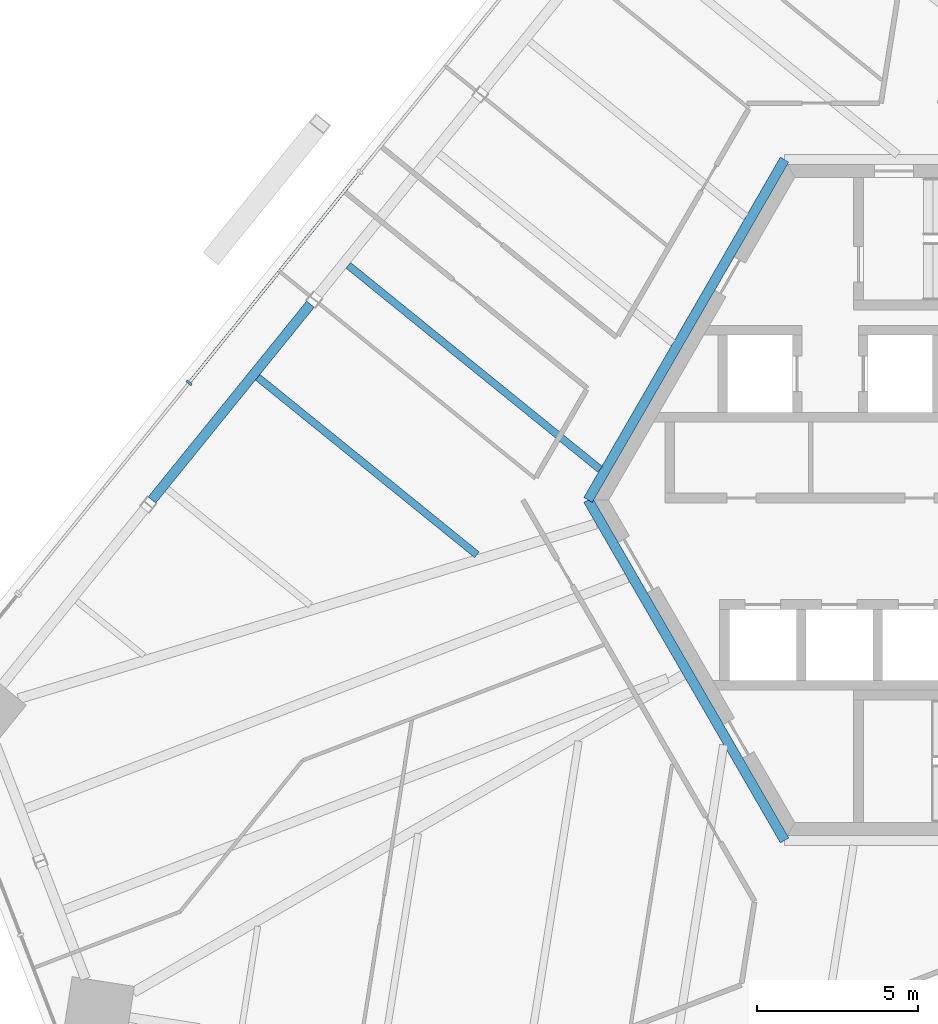
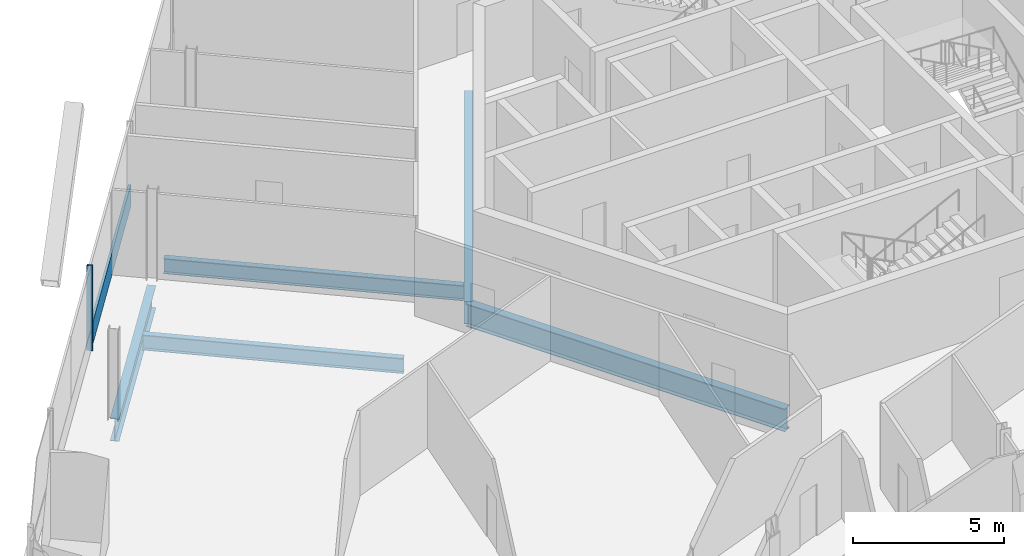
# One storey, part 5 of 19: 5 beams, 2 members, 1 element without a shape of its own.
"""IFC4 building model written with IfcOpenShell, lengths in metres."""

from ifc_helpers import new_model, si_unit, direction, frame, origin, origin_2d, place, context, subcontext, project, spatial, rectangle, i_section, extrude, source, transform, mapped, material, material_profile, profile_set, type_object, element, aggregate, save


model = new_model("IFC4")

# Units and contexts
model_context = context("Model", 3, precision=1e-05, world=origin(), true_north=direction((0.0, 1.0)))
body_context = subcontext(model_context, "Body", "Model", "MODEL_VIEW")
ifc_project = project(units=[si_unit("LENGTHUNIT", "METRE"), si_unit("AREAUNIT", "SQUARE_METRE"), si_unit("VOLUMEUNIT", "CUBIC_METRE"), si_unit("PLANEANGLEUNIT", "RADIAN"), si_unit("MASSUNIT", "GRAM", prefix="KILO")], contexts=[model_context])

# Site, building, storey
site_placement = place(None, origin())
site = spatial("IfcSite", under=ifc_project, at=site_placement, CompositionType="ELEMENT")
building_placement = place(site_placement, origin())
building = spatial("IfcBuilding", under=site, at=building_placement, Name="Triune Harvest Tower", CompositionType="ELEMENT")
storey_placement = place(building_placement, frame((0.0, 0.0, 149.699951171875)))
storey = spatial("IfcBuildingStorey", under=building, at=storey_placement, Name="L38", CompositionType="ELEMENT", Elevation=149.699951171875)

# Beams
ifc_material_1 = material(Name="Steel ASTM A992 Gr 50", Category="steel")
ifc_material_profile_1 = material_profile(ifc_material_1, i_section(OverallWidth=0.3046875, OverallDepth=0.914306640625, WebThickness=0.0166015625, FlangeThickness=0.02587890625, at=origin_2d()), Name="W36x160")
ifc_profile_set_1 = profile_set([ifc_material_profile_1], Name="Steel ASTM A992 Gr 50")
beam_type_1 = type_object("IfcBeamType", Name="CG-1 Core ring girder W36x160", PredefinedType="BEAM", material=ifc_profile_set_1)
shared_shape_1 = source(origin(), body_context, "Body", "SweptSolid", [
    extrude(i_section(OverallWidth=0.3046875, OverallDepth=0.914306640625, WebThickness=0.0166015625, FlangeThickness=0.02587890625, at=origin_2d()), origin(), (0.0, 0.0, 1.0), 12.176025390625),
])
for number, where, z_axis, x_axis, name in (
    (1, (-6.087890625, 10.544677734375, -0.6171875), (-0.5000099932, -0.866019634131, 0.0), (0.866019634131, -0.5000099932, 0.0), "beam/L38/CG3"),
    (2, (-12.176025390625, 0.0, -0.6171875), (0.5000099932, -0.866019634131, 0.0), (0.866019634131, 0.5000099932, 0.0), "beam/L38/CG4"),
):
    element("IfcBeam", number, at=place(storey_placement, frame(where, z_axis=z_axis, x_axis=x_axis)), inside=storey, type_object=beam_type_1, Name=name, PredefinedType="BEAM", context=body_context, shape_type="MappedRepresentation", body=[
        mapped(shared_shape_1, transform((0.0, 0.0, 0.0), scale=1.0)),
    ])
ifc_material_2 = material(Name="Steel ASTM A992 Gr 50", Category="steel")
ifc_material_profile_2 = material_profile(ifc_material_2, i_section(OverallWidth=0.3046875, OverallDepth=0.914306640625, WebThickness=0.0166015625, FlangeThickness=0.02587890625, at=origin_2d()), Name="W36x160")
ifc_profile_set_2 = profile_set([ifc_material_profile_2], Name="Steel ASTM A992 Gr 50")
beam_type_2 = type_object("IfcBeamType", Name="SB-1 Spandrel beam W36x160", PredefinedType="SPANDREL", material=ifc_profile_set_2)
shared_shape_2 = source(origin(), body_context, "Body", "SweptSolid", [
    extrude(i_section(OverallWidth=0.3046875, OverallDepth=0.914306640625, WebThickness=0.0166015625, FlangeThickness=0.02587890625, at=origin_2d()), origin(), (0.0, 0.0, 1.0), 7.8017578125),
])
beam_1_placement = place(storey_placement, frame((-20.775390625, 6.064208984375, -0.6171875), z_axis=(-0.629335951387, -0.777133360686, 0.0), x_axis=(0.777133360686, -0.629335951387, 0.0)))
element("IfcBeam", 3, at=beam_1_placement, inside=storey, type_object=beam_type_2, Name="beam/L38/SB13", PredefinedType="SPANDREL", context=body_context, shape_type="MappedRepresentation", body=[
    mapped(shared_shape_2, transform((0.0, 0.0, 0.0), scale=1.0)),
])
ifc_material_3 = material(Name="Steel ASTM A992 Gr 50", Category="steel")
ifc_material_profile_3 = material_profile(ifc_material_3, i_section(OverallWidth=0.22900390625, OverallDepth=0.612060546875, WebThickness=0.011962890625, FlangeThickness=0.01953125, at=origin_2d()), Name="W24x84")
ifc_profile_set_3 = profile_set([ifc_material_profile_3], Name="Steel ASTM A992 Gr 50")
beam_type_3 = type_object("IfcBeamType", Name="JT-3 Floor joist W24x84", PredefinedType="JOIST", material=ifc_profile_set_3)
shared_shape_3 = source(origin(), body_context, "Body", "SweptSolid", [
    extrude(i_section(OverallWidth=0.22900390625, OverallDepth=0.612060546875, WebThickness=0.011962890625, FlangeThickness=0.01953125, at=origin_2d()), origin(), (0.0, 0.0, 1.0), 8.738037109375),
])
beam_2_placement = place(storey_placement, frame((-22.410400390625, 3.802978515625, -0.466064453125), z_axis=(0.777147913906, -0.629317979968, 0.0), x_axis=(0.629317979968, 0.777147913906, 0.0)))
element("IfcBeam", 4, at=beam_2_placement, inside=storey, type_object=beam_type_3, Name="beam/L38/JT20", PredefinedType="JOIST", context=body_context, shape_type="MappedRepresentation", body=[
    mapped(shared_shape_3, transform((0.0, 0.0, 0.0), scale=1.0)),
])
shared_shape_4 = source(origin(), body_context, "Body", "SweptSolid", [
    extrude(i_section(OverallWidth=0.22900390625, OverallDepth=0.612060546875, WebThickness=0.011962890625, FlangeThickness=0.01953125, at=origin_2d()), origin(), (0.0, 0.0, 1.0), 10.0380859375),
])
beam_3_placement = place(storey_placement, frame((-19.60400390625, 7.268310546875, -0.466064453125), z_axis=(0.777146308943, -0.629319961941, 0.0), x_axis=(0.629319961941, 0.777146308943, 0.0)))
element("IfcBeam", 5, at=beam_3_placement, inside=storey, type_object=beam_type_3, Name="beam/L38/JT19", PredefinedType="JOIST", context=body_context, shape_type="MappedRepresentation", body=[
    mapped(shared_shape_4, transform((0.0, 0.0, 0.0), scale=1.0)),
])

# Curtain wall, members
ifc_material_4 = material(Name="Aluminium bronze anodised", Category="aluminium")
curtain_wall_type = type_object("IfcCurtainWallType", Name="CW-7 Tower stick curtain wall with insulated spandrel infill", PredefinedType="NOTDEFINED", material=ifc_material_4)
curtain_wall_placement = place(storey_placement, origin())
curtain_wall = element("IfcCurtainWall", 6, at=curtain_wall_placement, inside=storey, type_object=curtain_wall_type, Name="CW-7 B4-F3 L38 run 1001")
ifc_material_5 = material(Name="Aluminium bronze anodised", Category="aluminium")
ifc_material_profile_4 = material_profile(ifc_material_5, rectangle(XDim=0.199951171875, YDim=0.074951171875, at=origin_2d()), Name="MU-1 mullion 75 x 200")
ifc_profile_set_4 = profile_set([ifc_material_profile_4], Name="Aluminium bronze anodised")
member_type_1 = type_object("IfcMemberType", Name="MU-1 mullion 75 x 200", PredefinedType="MULLION", material=ifc_profile_set_4)
shared_shape_5 = source(origin(), body_context, "Body", "SweptSolid", [
    extrude(rectangle(XDim=0.199951171875, YDim=0.074951171875, at=origin_2d()), origin(), (0.0, 0.0, 1.0), 3.43994140625),
])
member_1_placement = place(storey_placement, frame((-24.53369140625, 3.630126953125, 0.0), z_axis=(0.0, 0.0, 1.0), x_axis=(0.77714431638, -0.629322422546, 0.0)))
member_1 = element("IfcMember", 7, at=member_1_placement, type_object=member_type_1, Name="CW-7 mullion B4-F3 1001.9", PredefinedType="MULLION", context=body_context, shape_type="MappedRepresentation", body=[
    mapped(shared_shape_5, transform((0.0, 0.0, 0.0), scale=1.0)),
])
ifc_material_6 = material(Name="Aluminium bronze anodised", Category="aluminium")
ifc_material_profile_5 = material_profile(ifc_material_6, rectangle(XDim=0.090087890625, YDim=0.89990234375, at=origin_2d()), Name="TR-1 transom 90 x 900")
ifc_profile_set_5 = profile_set([ifc_material_profile_5], Name="Aluminium bronze anodised")
member_type_2 = type_object("IfcMemberType", Name="TR-1 transom 90 x 900", PredefinedType="USERDEFINED", material=ifc_profile_set_5)
shared_shape_6 = source(origin(), body_context, "Body", "SweptSolid", [
    extrude(rectangle(XDim=0.090087890625, YDim=0.89990234375, at=origin_2d()), origin(), (0.0, 0.0, 1.0), 8.337158203125),
])
member_2_placement = place(storey_placement, frame((-19.26318359375, 10.138427734375, 0.449951171875), z_axis=(-0.629322894333, -0.777143934331, 0.0), x_axis=(0.777143934331, -0.629322894333, 0.0)))
member_2 = element("IfcMember", 8, at=member_2_placement, type_object=member_type_2, Name="CW-7 transom B4-F3 1001.4", ObjectType="TRANSOM", PredefinedType="USERDEFINED", context=body_context, shape_type="MappedRepresentation", body=[
    mapped(shared_shape_6, transform((0.0, 0.0, 0.0), scale=1.0)),
])
aggregate(curtain_wall, [member_1, member_2])

save(model, "model.ifc")
